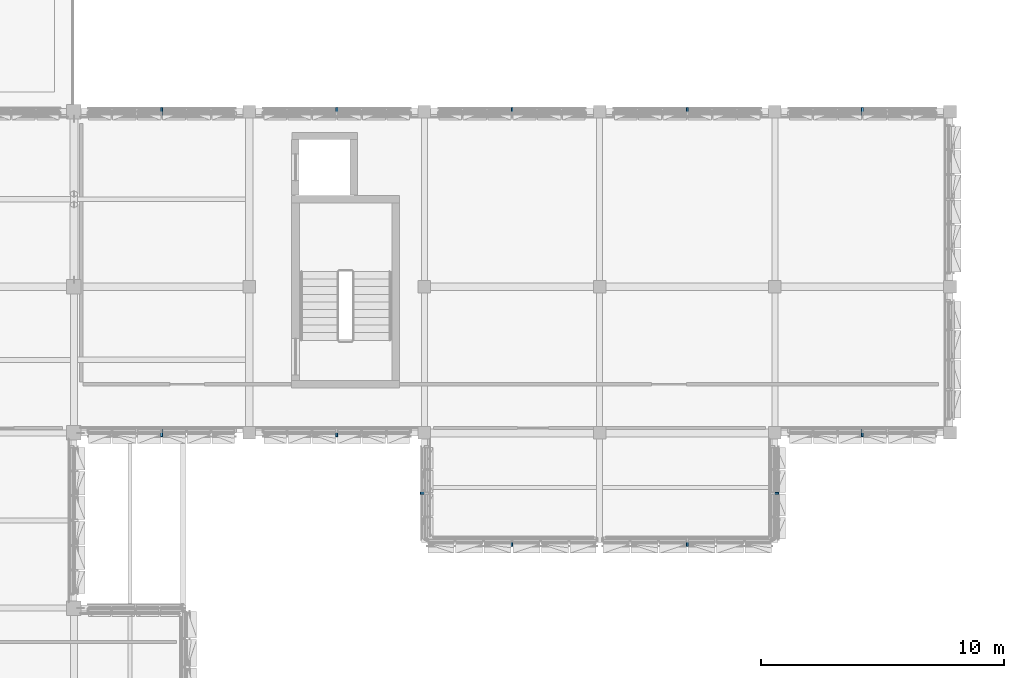
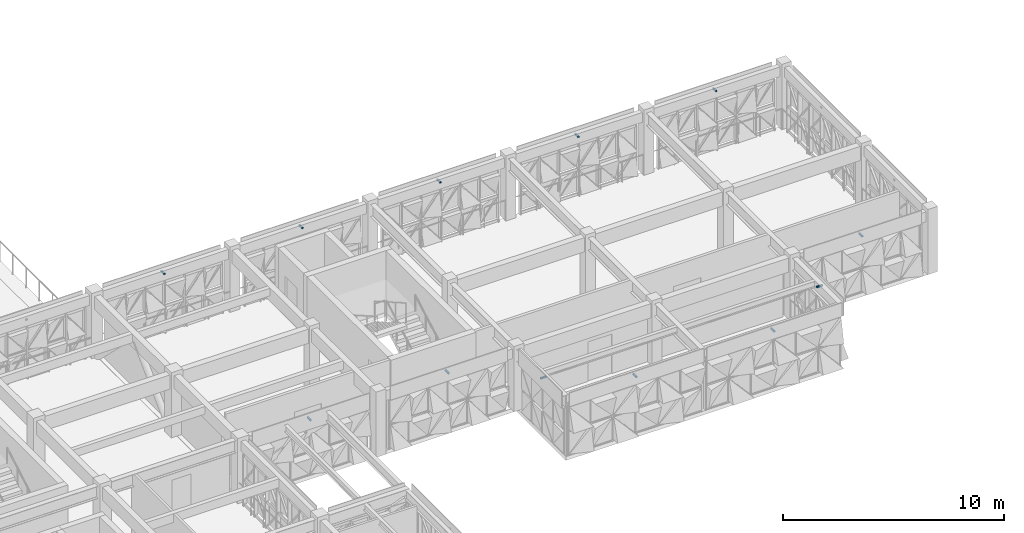
# One storey, part 72 of 99: 12 discrete accessories.
"""IFC4 building model written with IfcOpenShell, lengths in metres."""

import ifcopenshell
import ifcopenshell.guid

model = None  # the IFC model being written
_history = None  # IfcOwnerHistory: only IFC2X3 demands one
_inside = {}  # id of a spatial element -> (the spatial element, [elements in it])
_under = {}  # id of a project, library or spatial element -> (it, [spatial elements below it])
_declared = {}  # id of a project -> (the project, [libraries it declares])
_typed = {}  # id of a type object -> (the type object, [elements of that type])
_made_of = {}  # id of a material, layer set ... -> (it, [elements and type objects made of it])


def new_model(schema):
    """Start an empty IFC model of exactly this schema.

    Asked for "IFC4X3", IfcOpenShell would pick the latest addendum, in which some entities
    have other attributes; the version numbers below select the first issue.
    IFC2X3 requires an IfcOwnerHistory on every rooted entity: one is made here for all.
    """
    global model, _history
    if schema == "IFC4X3":
        model = ifcopenshell.file(schema_version=(4, 3, 0, 0))
    else:
        model = ifcopenshell.file(schema=schema)
    _inside.clear()
    _under.clear()
    _declared.clear()
    _typed.clear()
    _made_of.clear()
    _history = None
    if model.schema == "IFC2X3":
        org = make("IfcOrganization", Name="unknown")
        user = make(
            "IfcPersonAndOrganization",
            ThePerson=make("IfcPerson", FamilyName="unknown"),
            TheOrganization=org,
        )
        app = make(
            "IfcApplication",
            ApplicationDeveloper=org,
            Version="unknown",
            ApplicationFullName="unknown",
            ApplicationIdentifier="unknown",
        )
        _history = make(
            "IfcOwnerHistory",
            OwningUser=user,
            OwningApplication=app,
            ChangeAction="ADDED",
            CreationDate=0,
        )
    return model


def make(cls, **values):
    """One entity of the class cls with the attributes given. An attribute that is None is left unset."""
    return model.create_entity(
        cls, **{name: value for name, value in values.items() if value is not None}
    )


def rooted(cls, **values):
    """An entity with a GlobalId (a new one), such as an element, a storey or a relation."""
    return make(cls, GlobalId=ifcopenshell.guid.new(), OwnerHistory=_history, **values)


def si_unit(unit_type, name, prefix=None):
    """IfcSIUnit, for example si_unit("LENGTHUNIT", "METRE", prefix="MILLI")."""
    return make("IfcSIUnit", UnitType=unit_type, Prefix=prefix, Name=name)


def assignment(units):
    """IfcUnitAssignment: the units of a project."""
    return None if units is None else make("IfcUnitAssignment", Units=units)


def point(xyz):
    """IfcCartesianPoint."""
    return None if xyz is None else make("IfcCartesianPoint", Coordinates=xyz)


def direction(xyz):
    """IfcDirection."""
    return None if xyz is None else make("IfcDirection", DirectionRatios=xyz)


def frame(location, z_axis=None, x_axis=None):
    """IfcAxis2Placement3D, a coordinate frame: its origin and axes. An axis left out is left unset."""
    return make(
        "IfcAxis2Placement3D",
        Location=point(location),
        Axis=direction(z_axis),
        RefDirection=direction(x_axis),
    )


def frame_2d(location, x_axis=None):
    """IfcAxis2Placement2D, a coordinate frame in the plane: its origin and x axis."""
    return make(
        "IfcAxis2Placement2D", Location=point(location), RefDirection=direction(x_axis)
    )


def origin():
    """The frame at (0, 0, 0) with its axes left unset."""
    return frame((0.0, 0.0, 0.0))


def origin_2d():
    """The frame at (0, 0) in the plane with its x axis left unset."""
    return frame_2d((0.0, 0.0))


def place(relative_to, where):
    """IfcLocalPlacement: puts the frame where relative to a parent placement (None: the world)."""
    return make(
        "IfcLocalPlacement", PlacementRelTo=relative_to, RelativePlacement=where
    )


def context(
    kind, dimensions, precision=None, world=None, true_north=None, identifier=None
):
    """IfcGeometricRepresentationContext, for example the 3D "Model" context."""
    return make(
        "IfcGeometricRepresentationContext",
        ContextIdentifier=identifier,
        ContextType=kind,
        CoordinateSpaceDimension=dimensions,
        Precision=precision,
        WorldCoordinateSystem=world,
        TrueNorth=true_north,
    )


def subcontext(parent, identifier, kind, view, scale=None):
    """IfcGeometricRepresentationSubContext, for example "Body" below "Model"."""
    return make(
        "IfcGeometricRepresentationSubContext",
        ContextIdentifier=identifier,
        ContextType=kind,
        ParentContext=parent,
        TargetScale=scale,
        TargetView=view,
    )


def project(units=None, contexts=None):
    """IfcProject with its units and contexts."""
    return rooted(
        "IfcProject",
        Name="project",
        RepresentationContexts=contexts,
        UnitsInContext=assignment(units),
    )


def spatial(cls, under=None, at=None, **own):
    """A site, building, storey or space (cls), placed at a placement, below another one or the project."""
    s = rooted(cls, ObjectPlacement=at, **own)
    if under is not None:
        _under.setdefault(under.id(), (under, []))[1].append(s)
    return s


def profile(cls, at=None, kind="AREA", **sizes):
    """A parametric profile (cls). Its sizes go by their IFC names, for example OverallWidth=200.0."""
    return make(cls, ProfileType=kind, Position=at, **sizes)


def rectangle(**sizes):
    """IfcRectangleProfileDef."""
    return profile("IfcRectangleProfileDef", **sizes)


def extrude(swept, where, along, depth):
    """IfcExtrudedAreaSolid: the profile swept, set in the frame where, extruded along a direction by depth."""
    return make(
        "IfcExtrudedAreaSolid",
        SweptArea=swept,
        Position=where,
        ExtrudedDirection=direction(along),
        Depth=depth,
    )


def shape(context_of_items, identifier, shape_type, items):
    """IfcShapeRepresentation: the items that make up one representation, for example the "Body"."""
    return make(
        "IfcShapeRepresentation",
        ContextOfItems=context_of_items,
        RepresentationIdentifier=identifier,
        RepresentationType=shape_type,
        Items=items,
    )


def material(Name=None, Category=None):
    """IfcMaterial."""
    return make("IfcMaterial", Name=Name, Category=Category)


def made_of(thing, what):
    """Note that an element or type object is made of a material, layer set ...; save() writes the relation."""
    if what is not None:
        _made_of.setdefault(what.id(), (what, []))[1].append(thing)
    return thing


def type_object(cls, material=None, **own):
    """A type object (cls), such as IfcWallType, which elements share."""
    return made_of(rooted(cls, **own), material)


def element(
    cls,
    number,
    at=None,
    inside=None,
    cuts=None,
    type_object=None,
    material=None,
    context=None,
    identifier="Body",
    shape_type=None,
    held_by="IfcProductDefinitionShape",
    body=None,
    shapes=None,
    **own,
):
    """One element of the class cls, such as IfcWall. Its Tag is "e" and its number.

    at: its placement. inside: the storey or other place that contains it. cuts: it is an
    opening in that element (IfcRelVoidsElement). A single representation is given by context,
    identifier, shape_type and body (its items); several are given by shapes. held_by: the class
    of the entity that holds the representations. save() writes the other relations.
    """
    e = rooted(cls, Tag="e%d" % number, ObjectPlacement=at, **own)
    if body is not None:
        shapes = [shape(context, identifier, shape_type, body)]
    if shapes is not None:
        e.Representation = make(held_by, Representations=shapes)
    if inside is not None:
        _inside.setdefault(inside.id(), (inside, []))[1].append(e)
    if cuts is not None:
        rooted(
            "IfcRelVoidsElement", RelatingBuildingElement=cuts, RelatedOpeningElement=e
        )
    if type_object is not None:
        _typed.setdefault(type_object.id(), (type_object, []))[1].append(e)
    return made_of(e, material)


def aggregate(whole, parts):
    """IfcRelAggregates: a whole, such as a stair, and the parts it consists of."""
    return rooted("IfcRelAggregates", RelatingObject=whole, RelatedObjects=parts)


def save(model, path):
    """Write the relations noted so far, then the file.

    IfcRelAggregates (storeys below a building ...), IfcRelContainedInSpatialStructure (elements
    in a storey), IfcRelDefinesByType, IfcRelAssociatesMaterial and IfcRelDeclares: one each for
    every whole, place, type object, material and project.
    """
    for whole, parts in _under.values():
        aggregate(whole, parts)
    for where, things in _inside.values():
        rooted(
            "IfcRelContainedInSpatialStructure",
            RelatedElements=things,
            RelatingStructure=where,
        )
    for kind, things in _typed.values():
        rooted("IfcRelDefinesByType", RelatedObjects=things, RelatingType=kind)
    for what, things in _made_of.values():
        rooted("IfcRelAssociatesMaterial", RelatedObjects=things, RelatingMaterial=what)
    for by, libraries in _declared.values():
        rooted("IfcRelDeclares", RelatingContext=by, RelatedDefinitions=libraries)
    model.write(path)


model = new_model("IFC4")

# Units and contexts
model_context = context("Model", 3, precision=1e-05, world=origin(), true_north=direction((0.0, 1.0)))
body_context = subcontext(model_context, "Body", "Model", "MODEL_VIEW")
ifc_project = project(units=[si_unit("LENGTHUNIT", "METRE"), si_unit("AREAUNIT", "SQUARE_METRE"), si_unit("VOLUMEUNIT", "CUBIC_METRE"), si_unit("PLANEANGLEUNIT", "RADIAN"), si_unit("MASSUNIT", "GRAM", prefix="KILO")], contexts=[model_context])

# Site, building, storey
site_placement = place(None, origin())
site = spatial("IfcSite", under=ifc_project, at=site_placement, CompositionType="ELEMENT")
building_placement = place(site_placement, origin())
building = spatial("IfcBuilding", under=site, at=building_placement, Name="Alvorim Cloister Faculty of Sciences", CompositionType="ELEMENT")
storey_placement = place(building_placement, frame((0.0, 0.0, 12.14990234375)))
storey = spatial("IfcBuildingStorey", under=building, at=storey_placement, Name="L03", CompositionType="ELEMENT", Elevation=12.14990234375)

# Discrete accessories
ifc_material = material(Name="Aluminium Alloy 6063-T6", Category="aluminium")
discrete_accessory_type = type_object("IfcDiscreteAccessoryType", Name="ACC-DIAG-BAR", PredefinedType="BRACKET", material=ifc_material)
for number, where, z_axis, x_axis, name in (
    (1, (32.39990234375, 56.260009765625, 3.22509765625), (0.0, 1.0, 0.0), (-1.0, 0.0, 0.0), "Slab-Edge Fascia Tie Bracket ACC-01343"),
    (2, (39.60009765625, 56.260009765625, 3.22509765625), (0.0, 1.0, 0.0), (-1.0, 0.0, 0.0), "Slab-Edge Fascia Tie Bracket ACC-01356"),
    (3, (46.800048828125, 56.260009765625, 3.22509765625), (0.0, 1.0, 0.0), (-1.0, 0.0, 0.0), "Slab-Edge Fascia Tie Bracket ACC-01369"),
    (4, (54.0, 56.260009765625, 3.22509765625), (0.0, 1.0, 0.0), (-1.0, 0.0, 0.0), "Slab-Edge Fascia Tie Bracket ACC-01382"),
    (5, (61.199951171875, 56.260009765625, 3.22509765625), (0.0, 1.0, 0.0), (-1.0, 0.0, 0.0), "Slab-Edge Fascia Tie Bracket ACC-01395"),
    (6, (61.199951171875, 43.340087890625, 3.22509765625), (0.0, -1.0, 0.0), (1.0, 0.0, 0.0), "Slab-Edge Fascia Tie Bracket ACC-01430"),
    (7, (57.4599609375, 40.719970703125, 3.153076171875), (1.0, 0.0, 0.0), (0.0, 1.0, 0.0), "Slab-Edge Fascia Tie Bracket ACC-01439"),
    (8, (54.0, 38.840087890625, 3.228515625), (0.0, -1.0, 0.0), (1.0, 0.0, 0.0), "Slab-Edge Fascia Tie Bracket ACC-01452"),
    (9, (46.800048828125, 38.840087890625, 3.228515625), (0.0, -1.0, 0.0), (1.0, 0.0, 0.0), "Slab-Edge Fascia Tie Bracket ACC-01465"),
    (10, (43.340087890625, 40.719970703125, 3.153076171875), (-1.0, 0.0, 0.0), (0.0, -1.0, 0.0), "Slab-Edge Fascia Tie Bracket ACC-01474"),
    (11, (39.60009765625, 43.340087890625, 3.22509765625), (0.0, -1.0, 0.0), (1.0, 0.0, 0.0), "Slab-Edge Fascia Tie Bracket ACC-01487"),
    (12, (32.39990234375, 43.340087890625, 3.153076171875), (0.0, -1.0, 0.0), (1.0, 0.0, 0.0), "Slab-Edge Fascia Tie Bracket ACC-01500"),
):
    element("IfcDiscreteAccessory", number, at=place(storey_placement, frame(where, z_axis=z_axis, x_axis=x_axis)), inside=storey, type_object=discrete_accessory_type, Name=name, PredefinedType="BRACKET", context=body_context, shape_type="SweptSolid", body=[
        extrude(rectangle(XDim=0.080078125, YDim=0.080078125, at=origin_2d()), origin(), (0.0, 0.0, 1.0), 0.300048828125),
    ])

save(model, "model.ifc")
